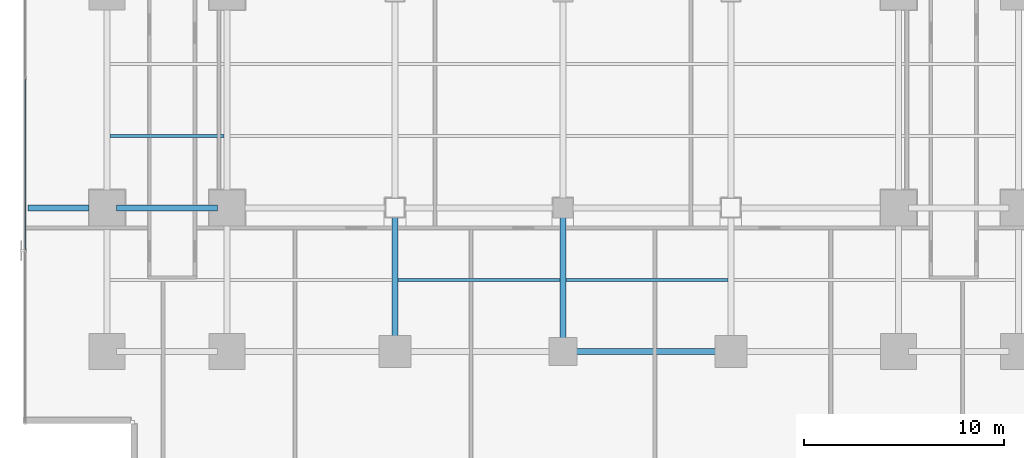
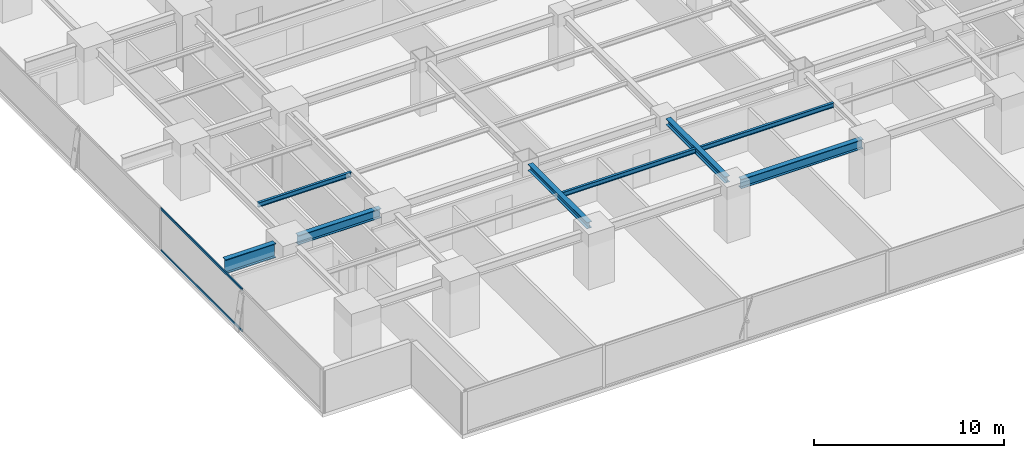
# One storey, part 6 of 34: 8 beams, 2 members, 1 element without a shape of its own.
"""IFC4 building model written with IfcOpenShell, lengths in metres."""

from ifc_helpers import new_model, si_unit, direction, frame, origin, origin_2d, place, context, subcontext, project, spatial, hollow_rectangle, i_section, extrude, source, transform, mapped, material, layer, layer_set, material_profile, profile_set, type_object, element, aggregate, save


model = new_model("IFC4")

# Units and contexts
model_context = context("Model", 3, precision=1e-05, world=origin(), true_north=direction((0.0, 1.0)))
body_context = subcontext(model_context, "Body", "Model", "MODEL_VIEW")
ifc_project = project(units=[si_unit("LENGTHUNIT", "METRE"), si_unit("AREAUNIT", "SQUARE_METRE"), si_unit("VOLUMEUNIT", "CUBIC_METRE"), si_unit("PLANEANGLEUNIT", "RADIAN"), si_unit("MASSUNIT", "GRAM", prefix="KILO")], contexts=[model_context])

# Site, building, storey
site_placement = place(None, origin())
site = spatial("IfcSite", under=ifc_project, at=site_placement, CompositionType="ELEMENT")
building_placement = place(site_placement, origin())
building = spatial("IfcBuilding", under=site, at=building_placement, Name="Sumidabori Civic Tower", CompositionType="ELEMENT")
storey_placement = place(building_placement, frame((0.0, 0.0, 56.0)))
storey = spatial("IfcBuildingStorey", under=building, at=storey_placement, Name="L14", CompositionType="ELEMENT", Elevation=56.0)

# Beams
ifc_material_1 = material(Name="Steel SN490", Category="steel")
ifc_material_profile_1 = material_profile(ifc_material_1, i_section(OverallWidth=0.300048828125, OverallDepth=0.60009765625, WebThickness=0.015380859375, FlangeThickness=0.030029296875, at=origin_2d()), Name="HE 600 B")
ifc_profile_set_1 = profile_set([ifc_material_profile_1], Name="Steel SN490")
beam_type_1 = type_object("IfcBeamType", Name="BM-GIRD-600", PredefinedType="BEAM", material=ifc_profile_set_1)
shared_shape_1 = source(origin(), body_context, "Body", "SweptSolid", [
    extrude(i_section(OverallWidth=0.300048828125, OverallDepth=0.60009765625, WebThickness=0.015380859375, FlangeThickness=0.030029296875, at=origin_2d()), origin(), (0.0, 0.0, 1.0), 5.0400390625),
])
beam_1_placement = place(storey_placement, frame((-22.320068359375, -10.800048828125, 3.06005859375), z_axis=(1.0, 0.0, 0.0), x_axis=(0.0, 1.0, 0.0)))
element("IfcBeam", 1, at=beam_1_placement, inside=storey, type_object=beam_type_1, Name="Primary Girder L14 GX-07", PredefinedType="BEAM", context=body_context, shape_type="MappedRepresentation", body=[
    mapped(shared_shape_1, transform((0.0, 0.0, 0.0), x_axis=(1.0, 0.0, 0.0), y_axis=(0.0, 1.0, 0.0), z_axis=(0.0, 0.0, 1.0), scale=1.0)),
])
shared_shape_2 = source(origin(), body_context, "Body", "SweptSolid", [
    extrude(i_section(OverallWidth=0.300048828125, OverallDepth=0.60009765625, WebThickness=0.015380859375, FlangeThickness=0.030029296875, at=origin_2d()), origin(), (0.0, 0.0, 1.0), 7.43994140625),
])
beam_2_placement = place(storey_placement, frame((0.47998046875, -18.0, 3.06005859375), z_axis=(1.0, 0.0, 0.0), x_axis=(0.0, 1.0, 0.0)))
element("IfcBeam", 2, at=beam_2_placement, inside=storey, type_object=beam_type_1, Name="Primary Girder L14 GX-04", PredefinedType="BEAM", context=body_context, shape_type="MappedRepresentation", body=[
    mapped(shared_shape_2, transform((0.0, 0.0, 0.0), x_axis=(1.0, 0.0, 0.0), y_axis=(0.0, 1.0, 0.0), z_axis=(0.0, 0.0, 1.0), scale=1.0)),
])
ifc_material_profile_2 = material_profile(ifc_material_1, i_section(OverallWidth=0.300048828125, OverallDepth=0.39990234375, WebThickness=0.013427734375, FlangeThickness=0.02392578125, at=origin_2d()), Name="HE 400 B")
ifc_profile_set_2 = profile_set([ifc_material_profile_2], Name="Steel SN490")
beam_type_2 = type_object("IfcBeamType", Name="BM-GIRD-400", PredefinedType="BEAM", material=ifc_profile_set_2)
shared_shape_3 = source(origin(), body_context, "Body", "SweptSolid", [
    extrude(i_section(OverallWidth=0.300048828125, OverallDepth=0.39990234375, WebThickness=0.013427734375, FlangeThickness=0.02392578125, at=origin_2d()), origin(), (0.0, 0.0, 1.0), 6.239990234375),
])
for number, where, z_axis, x_axis, name in (
    (3, (-8.39990234375, -17.52001953125, 3.159912109375), (0.0, 1.0, 0.0), (-1.0, 0.0, 0.0), "Primary Girder L14 GY-29"),
    (4, (0.0, -17.52001953125, 3.159912109375), (0.0, 1.0, 0.0), (-1.0, 0.0, 0.0), "Primary Girder L14 GY-31"),
):
    element("IfcBeam", number, at=place(storey_placement, frame(where, z_axis=z_axis, x_axis=x_axis)), inside=storey, type_object=beam_type_2, Name=name, PredefinedType="BEAM", context=body_context, shape_type="MappedRepresentation", body=[
        mapped(shared_shape_3, transform((0.0, 0.0, 0.0), x_axis=(1.0, 0.0, 0.0), y_axis=(0.0, 1.0, 0.0), z_axis=(0.0, 0.0, 1.0), scale=1.0)),
    ])
ifc_material_profile_3 = material_profile(ifc_material_1, i_section(OverallWidth=0.302001953125, OverallDepth=0.909912109375, WebThickness=0.02099609375, FlangeThickness=0.0400390625, at=origin_2d()), Name="HE 900 M")
ifc_profile_set_3 = profile_set([ifc_material_profile_3], Name="Steel SN490")
beam_type_3 = type_object("IfcBeamType", Name="BM-Z1-EDGE", PredefinedType="SPANDREL", material=ifc_profile_set_3)
shared_shape_4 = source(origin(), body_context, "Body", "SweptSolid", [
    extrude(i_section(OverallWidth=0.302001953125, OverallDepth=0.909912109375, WebThickness=0.02099609375, FlangeThickness=0.0400390625, at=origin_2d()), origin(), (0.0, 0.0, 1.0), 3.050048828125),
])
beam_3_placement = place(storey_placement, frame((-26.75, -10.800048828125, 2.905029296875), z_axis=(1.0, 0.0, 0.0), x_axis=(0.0, 1.0, 0.0)))
element("IfcBeam", 5, at=beam_3_placement, inside=storey, type_object=beam_type_3, Name="Perimeter Overhang Beam L14 W-44", PredefinedType="SPANDREL", context=body_context, shape_type="MappedRepresentation", body=[
    mapped(shared_shape_4, transform((0.0, 0.0, 0.0), x_axis=(1.0, 0.0, 0.0), y_axis=(0.0, 1.0, 0.0), z_axis=(0.0, 0.0, 1.0), scale=1.0)),
])
ifc_material_profile_4 = material_profile(ifc_material_1, i_section(OverallWidth=0.14990234375, OverallDepth=0.300048828125, WebThickness=0.007080078125, FlangeThickness=0.0107421875, at=origin_2d()), Name="IPE 300")
ifc_profile_set_4 = profile_set([ifc_material_profile_4], Name="Steel SN490")
beam_type_4 = type_object("IfcBeamType", Name="BM-JST-300", PredefinedType="JOIST", material=ifc_profile_set_4)
shared_shape_5 = source(origin(), body_context, "Body", "SweptSolid", [
    extrude(i_section(OverallWidth=0.14990234375, OverallDepth=0.300048828125, WebThickness=0.007080078125, FlangeThickness=0.0107421875, at=origin_2d()), origin(), (0.0, 0.0, 1.0), 5.699951171875),
])
beam_4_placement = place(storey_placement, frame((-22.64990234375, -7.199951171875, 3.2099609375), z_axis=(1.0, 0.0, 0.0), x_axis=(0.0, 1.0, 0.0)))
element("IfcBeam", 6, at=beam_4_placement, inside=storey, type_object=beam_type_4, Name="Outer Bay Floor Joist L14 JSTO-49", PredefinedType="JOIST", context=body_context, shape_type="MappedRepresentation", body=[
    mapped(shared_shape_5, transform((0.0, 0.0, 0.0), x_axis=(1.0, 0.0, 0.0), y_axis=(0.0, 1.0, 0.0), z_axis=(0.0, 0.0, 1.0), scale=1.0)),
])
shared_shape_6 = source(origin(), body_context, "Body", "SweptSolid", [
    extrude(i_section(OverallWidth=0.14990234375, OverallDepth=0.300048828125, WebThickness=0.007080078125, FlangeThickness=0.0107421875, at=origin_2d()), origin(), (0.0, 0.0, 1.0), 8.10009765625),
])
for number, where, z_axis, x_axis, name in (
    (7, (-8.25, -14.39990234375, 3.2099609375), (1.0, 0.0, 0.0), (0.0, 1.0, 0.0), "South Bay Floor Joist L14 JSTS-62"),
    (8, (0.14990234375, -14.39990234375, 3.2099609375), (1.0, 0.0, 0.0), (0.0, 1.0, 0.0), "South Bay Floor Joist L14 JSTS-63"),
):
    element("IfcBeam", number, at=place(storey_placement, frame(where, z_axis=z_axis, x_axis=x_axis)), inside=storey, type_object=beam_type_4, Name=name, PredefinedType="JOIST", context=body_context, shape_type="MappedRepresentation", body=[
        mapped(shared_shape_6, transform((0.0, 0.0, 0.0), x_axis=(1.0, 0.0, 0.0), y_axis=(0.0, 1.0, 0.0), z_axis=(0.0, 0.0, 1.0), scale=1.0)),
    ])

# Curtain wall, members
ifc_material_2 = material(Name="Anodised Bronze Aluminium AW-6063-T6", Category="aluminium")
ifc_layer = layer(ifc_material_2, 0.179931640625, Name="Anodised Bronze Aluminium AW-6063-T6")
ifc_layer_set = layer_set([ifc_layer], Name="Anodised Bronze Aluminium AW-6063-T6")
curtain_wall_type = type_object("IfcCurtainWallType", Name="CW-SYS-2", PredefinedType="NOTDEFINED", material=ifc_layer_set)
curtain_wall_placement = place(storey_placement, origin())
curtain_wall = element("IfcCurtainWall", 9, at=curtain_wall_placement, inside=storey, type_object=curtain_wall_type, Name="Curtain Wall CW:L14:R10", PredefinedType="NOTDEFINED")
ifc_material_profile_5 = material_profile(ifc_material_2, hollow_rectangle(XDim=0.06494140625, YDim=0.14990234375, WallThickness=0.0048828125, at=origin_2d()), Name="ALU TRANSOM 150x65")
ifc_profile_set_5 = profile_set([ifc_material_profile_5], Name="Anodised Bronze Aluminium AW-6063-T6")
member_type = type_object("IfcMemberType", Name="CW-TRN-150", PredefinedType="USERDEFINED", material=ifc_profile_set_5)
shared_shape_7 = source(origin(), body_context, "Body", "SweptSolid", [
    extrude(hollow_rectangle(XDim=0.06494140625, YDim=0.14990234375, WallThickness=0.0048828125, at=origin_2d()), origin(), (0.0, 0.0, 1.0), 8.557861328125),
])
member_1_placement = place(storey_placement, frame((-26.8798828125, -4.34912109375, 0.032470703125), z_axis=(0.0, -1.0, 0.0), x_axis=(1.0, 0.0, 0.0)))
member_1 = element("IfcMember", 10, at=member_1_placement, type_object=member_type, Name="CW-2 transom 4.1", ObjectType="TRANSOM", PredefinedType="USERDEFINED", context=body_context, shape_type="MappedRepresentation", body=[
    mapped(shared_shape_7, transform((0.0, 0.0, 0.0), x_axis=(1.0, 0.0, 0.0), y_axis=(0.0, 1.0, 0.0), z_axis=(0.0, 0.0, 1.0), scale=1.0)),
])
member_2_placement = place(storey_placement, frame((-26.8798828125, -4.34912109375, 2.70751953125), z_axis=(0.0, -1.0, 0.0), x_axis=(1.0, 0.0, 0.0)))
member_2 = element("IfcMember", 11, at=member_2_placement, type_object=member_type, Name="CW-2 transom 4.2", ObjectType="TRANSOM", PredefinedType="USERDEFINED", context=body_context, shape_type="MappedRepresentation", body=[
    mapped(shared_shape_7, transform((0.0, 0.0, 0.0), x_axis=(1.0, 0.0, 0.0), y_axis=(0.0, 1.0, 0.0), z_axis=(0.0, 0.0, 1.0), scale=1.0)),
])
aggregate(curtain_wall, [member_1, member_2])

save(model, "model.ifc")
